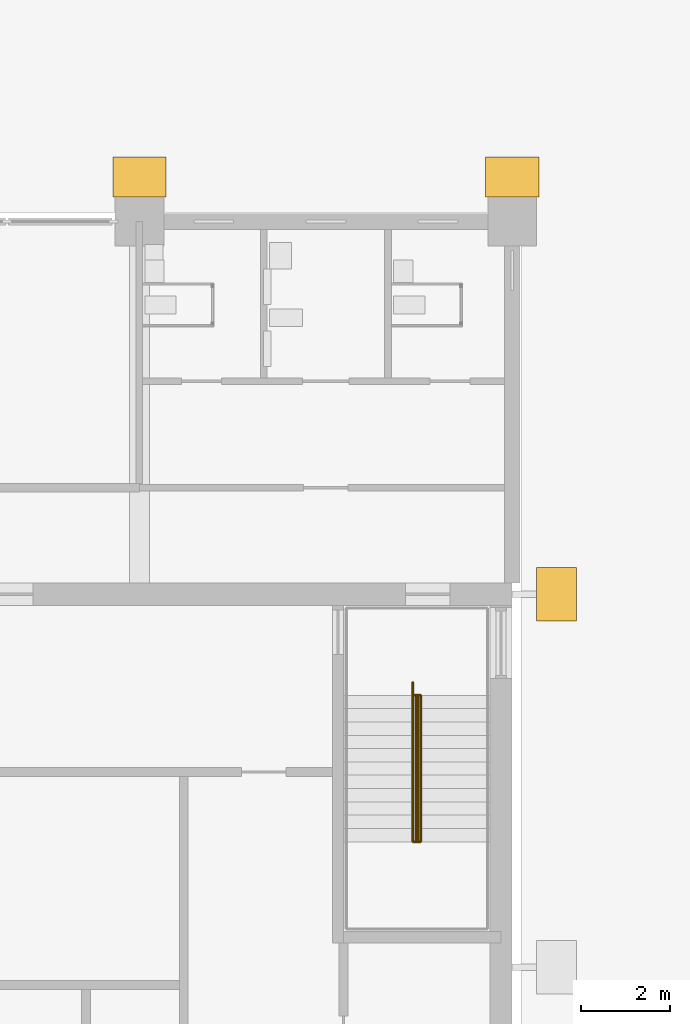
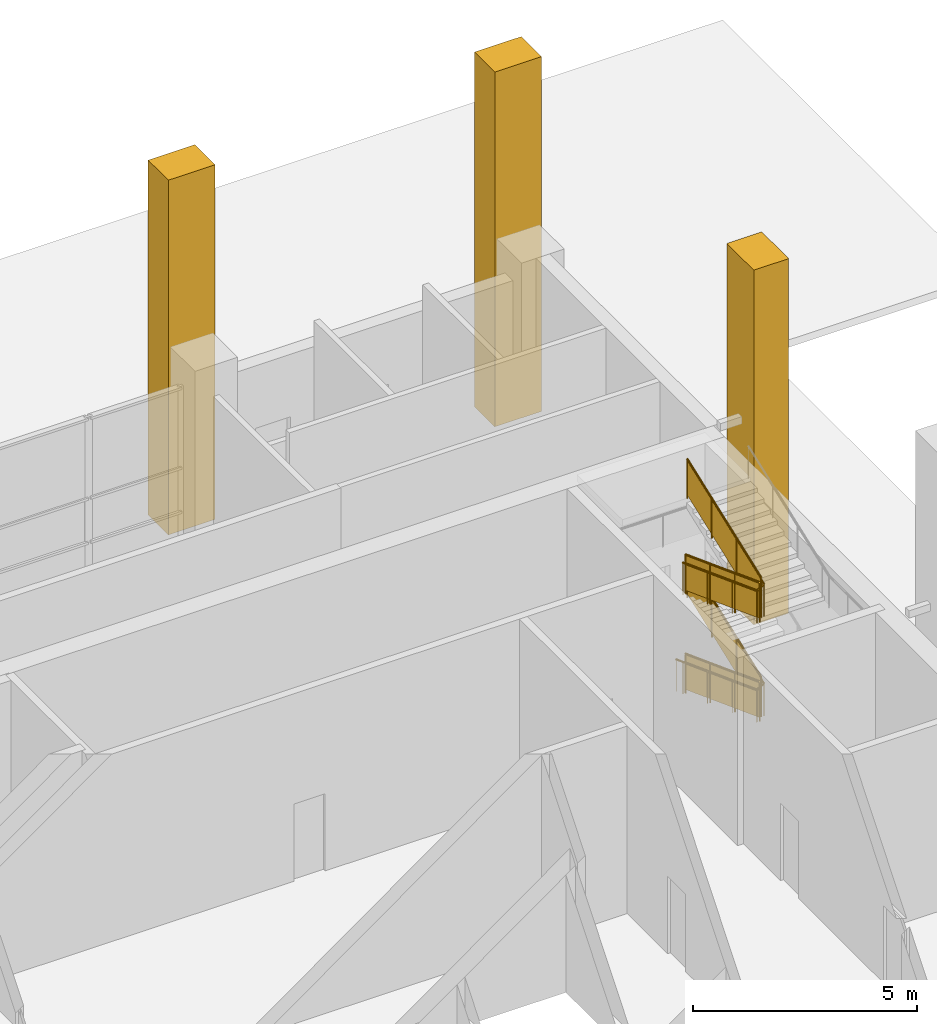
# One storey, part 69 of 74: 5 railings, 3 coverings.
"""IFC4 building model written with IfcOpenShell, lengths in metres."""

import ifcopenshell
import ifcopenshell.guid

model = None  # the IFC model being written
_history = None  # IfcOwnerHistory: only IFC2X3 demands one
_inside = {}  # id of a spatial element -> (the spatial element, [elements in it])
_under = {}  # id of a project, library or spatial element -> (it, [spatial elements below it])
_declared = {}  # id of a project -> (the project, [libraries it declares])
_typed = {}  # id of a type object -> (the type object, [elements of that type])
_made_of = {}  # id of a material, layer set ... -> (it, [elements and type objects made of it])


def new_model(schema):
    """Start an empty IFC model of exactly this schema.

    Asked for "IFC4X3", IfcOpenShell would pick the latest addendum, in which some entities
    have other attributes; the version numbers below select the first issue.
    IFC2X3 requires an IfcOwnerHistory on every rooted entity: one is made here for all.
    """
    global model, _history
    if schema == "IFC4X3":
        model = ifcopenshell.file(schema_version=(4, 3, 0, 0))
    else:
        model = ifcopenshell.file(schema=schema)
    _inside.clear()
    _under.clear()
    _declared.clear()
    _typed.clear()
    _made_of.clear()
    _history = None
    if model.schema == "IFC2X3":
        org = make("IfcOrganization", Name="unknown")
        user = make(
            "IfcPersonAndOrganization",
            ThePerson=make("IfcPerson", FamilyName="unknown"),
            TheOrganization=org,
        )
        app = make(
            "IfcApplication",
            ApplicationDeveloper=org,
            Version="unknown",
            ApplicationFullName="unknown",
            ApplicationIdentifier="unknown",
        )
        _history = make(
            "IfcOwnerHistory",
            OwningUser=user,
            OwningApplication=app,
            ChangeAction="ADDED",
            CreationDate=0,
        )
    return model


def make(cls, **values):
    """One entity of the class cls with the attributes given. An attribute that is None is left unset."""
    return model.create_entity(
        cls, **{name: value for name, value in values.items() if value is not None}
    )


def rooted(cls, **values):
    """An entity with a GlobalId (a new one), such as an element, a storey or a relation."""
    return make(cls, GlobalId=ifcopenshell.guid.new(), OwnerHistory=_history, **values)


def si_unit(unit_type, name, prefix=None):
    """IfcSIUnit, for example si_unit("LENGTHUNIT", "METRE", prefix="MILLI")."""
    return make("IfcSIUnit", UnitType=unit_type, Prefix=prefix, Name=name)


def assignment(units):
    """IfcUnitAssignment: the units of a project."""
    return None if units is None else make("IfcUnitAssignment", Units=units)


def point(xyz):
    """IfcCartesianPoint."""
    return None if xyz is None else make("IfcCartesianPoint", Coordinates=xyz)


def direction(xyz):
    """IfcDirection."""
    return None if xyz is None else make("IfcDirection", DirectionRatios=xyz)


def frame(location, z_axis=None, x_axis=None):
    """IfcAxis2Placement3D, a coordinate frame: its origin and axes. An axis left out is left unset."""
    return make(
        "IfcAxis2Placement3D",
        Location=point(location),
        Axis=direction(z_axis),
        RefDirection=direction(x_axis),
    )


def frame_2d(location, x_axis=None):
    """IfcAxis2Placement2D, a coordinate frame in the plane: its origin and x axis."""
    return make(
        "IfcAxis2Placement2D", Location=point(location), RefDirection=direction(x_axis)
    )


def origin():
    """The frame at (0, 0, 0) with its axes left unset."""
    return frame((0.0, 0.0, 0.0))


def origin_2d():
    """The frame at (0, 0) in the plane with its x axis left unset."""
    return frame_2d((0.0, 0.0))


def place(relative_to, where):
    """IfcLocalPlacement: puts the frame where relative to a parent placement (None: the world)."""
    return make(
        "IfcLocalPlacement", PlacementRelTo=relative_to, RelativePlacement=where
    )


def context(
    kind, dimensions, precision=None, world=None, true_north=None, identifier=None
):
    """IfcGeometricRepresentationContext, for example the 3D "Model" context."""
    return make(
        "IfcGeometricRepresentationContext",
        ContextIdentifier=identifier,
        ContextType=kind,
        CoordinateSpaceDimension=dimensions,
        Precision=precision,
        WorldCoordinateSystem=world,
        TrueNorth=true_north,
    )


def subcontext(parent, identifier, kind, view, scale=None):
    """IfcGeometricRepresentationSubContext, for example "Body" below "Model"."""
    return make(
        "IfcGeometricRepresentationSubContext",
        ContextIdentifier=identifier,
        ContextType=kind,
        ParentContext=parent,
        TargetScale=scale,
        TargetView=view,
    )


def project(units=None, contexts=None):
    """IfcProject with its units and contexts."""
    return rooted(
        "IfcProject",
        Name="project",
        RepresentationContexts=contexts,
        UnitsInContext=assignment(units),
    )


def spatial(cls, under=None, at=None, **own):
    """A site, building, storey or space (cls), placed at a placement, below another one or the project."""
    s = rooted(cls, ObjectPlacement=at, **own)
    if under is not None:
        _under.setdefault(under.id(), (under, []))[1].append(s)
    return s


def polyline(points):
    """IfcPolyline through the points."""
    return make("IfcPolyline", Points=[point(p) for p in points])


def profile(cls, at=None, kind="AREA", **sizes):
    """A parametric profile (cls). Its sizes go by their IFC names, for example OverallWidth=200.0."""
    return make(cls, ProfileType=kind, Position=at, **sizes)


def rectangle(**sizes):
    """IfcRectangleProfileDef."""
    return profile("IfcRectangleProfileDef", **sizes)


def circle(**sizes):
    """IfcCircleProfileDef."""
    return profile("IfcCircleProfileDef", **sizes)


def outline(outer, holes=None, kind="AREA"):
    """IfcArbitraryClosedProfileDef: a profile drawn as a closed curve; with holes, ...WithVoids."""
    if holes is None:
        return make("IfcArbitraryClosedProfileDef", ProfileType=kind, OuterCurve=outer)
    return make(
        "IfcArbitraryProfileDefWithVoids",
        ProfileType=kind,
        OuterCurve=outer,
        InnerCurves=holes,
    )


def extrude(swept, where, along, depth):
    """IfcExtrudedAreaSolid: the profile swept, set in the frame where, extruded along a direction by depth."""
    return make(
        "IfcExtrudedAreaSolid",
        SweptArea=swept,
        Position=where,
        ExtrudedDirection=direction(along),
        Depth=depth,
    )


def shape(context_of_items, identifier, shape_type, items):
    """IfcShapeRepresentation: the items that make up one representation, for example the "Body"."""
    return make(
        "IfcShapeRepresentation",
        ContextOfItems=context_of_items,
        RepresentationIdentifier=identifier,
        RepresentationType=shape_type,
        Items=items,
    )


def material(Name=None, Category=None):
    """IfcMaterial."""
    return make("IfcMaterial", Name=Name, Category=Category)


def made_of(thing, what):
    """Note that an element or type object is made of a material, layer set ...; save() writes the relation."""
    if what is not None:
        _made_of.setdefault(what.id(), (what, []))[1].append(thing)
    return thing


def type_object(cls, material=None, **own):
    """A type object (cls), such as IfcWallType, which elements share."""
    return made_of(rooted(cls, **own), material)


def element(
    cls,
    number,
    at=None,
    inside=None,
    cuts=None,
    type_object=None,
    material=None,
    context=None,
    identifier="Body",
    shape_type=None,
    held_by="IfcProductDefinitionShape",
    body=None,
    shapes=None,
    **own,
):
    """One element of the class cls, such as IfcWall. Its Tag is "e" and its number.

    at: its placement. inside: the storey or other place that contains it. cuts: it is an
    opening in that element (IfcRelVoidsElement). A single representation is given by context,
    identifier, shape_type and body (its items); several are given by shapes. held_by: the class
    of the entity that holds the representations. save() writes the other relations.
    """
    e = rooted(cls, Tag="e%d" % number, ObjectPlacement=at, **own)
    if body is not None:
        shapes = [shape(context, identifier, shape_type, body)]
    if shapes is not None:
        e.Representation = make(held_by, Representations=shapes)
    if inside is not None:
        _inside.setdefault(inside.id(), (inside, []))[1].append(e)
    if cuts is not None:
        rooted(
            "IfcRelVoidsElement", RelatingBuildingElement=cuts, RelatedOpeningElement=e
        )
    if type_object is not None:
        _typed.setdefault(type_object.id(), (type_object, []))[1].append(e)
    return made_of(e, material)


def aggregate(whole, parts):
    """IfcRelAggregates: a whole, such as a stair, and the parts it consists of."""
    return rooted("IfcRelAggregates", RelatingObject=whole, RelatedObjects=parts)


def save(model, path):
    """Write the relations noted so far, then the file.

    IfcRelAggregates (storeys below a building ...), IfcRelContainedInSpatialStructure (elements
    in a storey), IfcRelDefinesByType, IfcRelAssociatesMaterial and IfcRelDeclares: one each for
    every whole, place, type object, material and project.
    """
    for whole, parts in _under.values():
        aggregate(whole, parts)
    for where, things in _inside.values():
        rooted(
            "IfcRelContainedInSpatialStructure",
            RelatedElements=things,
            RelatingStructure=where,
        )
    for kind, things in _typed.values():
        rooted("IfcRelDefinesByType", RelatedObjects=things, RelatingType=kind)
    for what, things in _made_of.values():
        rooted("IfcRelAssociatesMaterial", RelatedObjects=things, RelatingMaterial=what)
    for by, libraries in _declared.values():
        rooted("IfcRelDeclares", RelatingContext=by, RelatedDefinitions=libraries)
    model.write(path)


model = new_model("IFC4")

# Units and contexts
model_context = context("Model", 3, precision=1e-05, world=origin(), true_north=direction((0.0, 1.0)))
body_context = subcontext(model_context, "Body", "Model", "MODEL_VIEW")
ifc_project = project(units=[si_unit("LENGTHUNIT", "METRE"), si_unit("AREAUNIT", "SQUARE_METRE"), si_unit("VOLUMEUNIT", "CUBIC_METRE"), si_unit("PLANEANGLEUNIT", "RADIAN"), si_unit("MASSUNIT", "GRAM", prefix="KILO")], contexts=[model_context])

# Site, building, storey
site_placement = place(None, origin())
site = spatial("IfcSite", under=ifc_project, at=site_placement, CompositionType="ELEMENT")
building_placement = place(site_placement, origin())
building = spatial("IfcBuilding", under=site, at=building_placement, Name="Rulbaag Community and Learning Centre", CompositionType="ELEMENT")
storey_placement = place(building_placement, origin())
storey = spatial("IfcBuildingStorey", under=building, at=storey_placement, Name="L00", CompositionType="ELEMENT", Elevation=0.0)

# Railings
ifc_material_1 = material(Name="Galvanised mild steel", Category="steel")
railing_type_1 = type_object("IfcRailingType", Name="GR-1100 GUARD 1100", PredefinedType="GUARDRAIL", material=ifc_material_1)
railing_1_placement = place(storey_placement, frame((165.830078125, 106.925048828125, 0.112548828125)))
element("IfcRailing", 1, at=railing_1_placement, inside=storey, type_object=railing_type_1, Name="Guard ST2 L00 G", PredefinedType="GUARDRAIL", context=body_context, shape_type="SweptSolid", body=[
    extrude(circle(Radius=0.02490234375, at=origin_2d()), frame((0.0, 0.0, 1.0751953125), z_axis=(0.0, -0.936326330815, 0.35113103284), x_axis=(1.0, 0.0, 0.0)), (0.0, 0.0, 1.0), 3.5244140625),
    extrude(circle(Radius=0.02001953125, at=origin_2d()), origin(), (0.0, 0.0, 1.0), 1.050048828125),
    extrude(circle(Radius=0.02001953125, at=origin_2d()), frame((0.0, -1.10009765625, 0.41259765625)), (0.0, 0.0, 1.0), 1.050048828125),
    extrude(circle(Radius=0.02001953125, at=origin_2d()), frame((0.0, -2.199951171875, 0.824951171875)), (0.0, 0.0, 1.0), 1.050048828125),
    extrude(circle(Radius=0.02001953125, at=origin_2d()), frame((0.0, -3.300048828125, 1.237548828125)), (0.0, 0.0, 1.0), 1.050048828125),
    extrude(outline(polyline([(0.0, 0.0), (3.300048828125, 1.237548828125), (3.300048828125, 2.1875), (0.0, 0.949951171875), (0.0, 0.0)])), frame((0.0048828125, 0.0, 0.10009765625), z_axis=(-1.0, 0.0, 0.0), x_axis=(0.0, -1.0, 0.0)), (0.0, 0.0, 1.0), 0.010009765625),
])
railing_2_placement = place(storey_placement, frame((165.8701171875, 103.625, 1.46240234375)))
element("IfcRailing", 2, at=railing_2_placement, inside=storey, type_object=railing_type_1, Name="Guard ST2 L00 G2", PredefinedType="GUARDRAIL", context=body_context, shape_type="SweptSolid", body=[
    extrude(circle(Radius=0.02490234375, at=origin_2d()), frame((0.0, 0.0, 1.0751953125), z_axis=(0.0, 0.936326330815, 0.35113103284), x_axis=(-1.0, 0.0, 0.0)), (0.0, 0.0, 1.0), 3.5244140625),
    extrude(circle(Radius=0.02001953125, at=origin_2d()), origin(), (0.0, 0.0, 1.0), 1.050048828125),
    extrude(circle(Radius=0.02001953125, at=origin_2d()), frame((0.0, 1.10009765625, 0.41259765625)), (0.0, 0.0, 1.0), 1.050048828125),
    extrude(circle(Radius=0.02001953125, at=origin_2d()), frame((0.0, 2.199951171875, 0.824951171875)), (0.0, 0.0, 1.0), 1.050048828125),
    extrude(circle(Radius=0.02001953125, at=origin_2d()), frame((0.0, 3.300048828125, 1.237548828125)), (0.0, 0.0, 1.0), 1.050048828125),
    extrude(outline(polyline([(0.0, 0.0), (3.300048828125, 1.237548828125), (3.300048828125, 2.1875), (0.0, 0.949951171875), (0.0, 0.0)])), frame((-0.0048828125, 0.0, 0.10009765625), z_axis=(1.0, 0.0, 0.0), x_axis=(0.0, 1.0, 0.0)), (0.0, 0.0, 1.0), 0.010009765625),
])
railing_3_placement = place(storey_placement, frame((165.830078125, 106.925048828125, 2.8125)))
element("IfcRailing", 3, at=railing_3_placement, inside=storey, type_object=railing_type_1, Name="Guard ST2 L00 G3", PredefinedType="GUARDRAIL", context=body_context, shape_type="SweptSolid", body=[
    extrude(circle(Radius=0.02490234375, at=origin_2d()), frame((0.0, 0.0, 1.0751953125), z_axis=(0.0, -0.936326330815, 0.35113103284), x_axis=(1.0, 0.0, 0.0)), (0.0, 0.0, 1.0), 3.5244140625),
    extrude(circle(Radius=0.02001953125, at=origin_2d()), origin(), (0.0, 0.0, 1.0), 1.050048828125),
    extrude(circle(Radius=0.02001953125, at=origin_2d()), frame((0.0, -1.10009765625, 0.41259765625)), (0.0, 0.0, 1.0), 1.050048828125),
    extrude(circle(Radius=0.02001953125, at=origin_2d()), frame((0.0, -2.199951171875, 0.824951171875)), (0.0, 0.0, 1.0), 1.050048828125),
    extrude(circle(Radius=0.02001953125, at=origin_2d()), frame((0.0, -3.300048828125, 1.237548828125)), (0.0, 0.0, 1.0), 1.050048828125),
    extrude(outline(polyline([(0.0, 0.0), (3.300048828125, 1.237548828125), (3.300048828125, 2.1875), (0.0, 0.949951171875), (0.0, 0.0)])), frame((0.0048828125, 0.0, 0.10009765625), z_axis=(-1.0, 0.0, 0.0), x_axis=(0.0, -1.0, 0.0)), (0.0, 0.0, 1.0), 0.010009765625),
])
railing_4_placement = place(storey_placement, frame((165.8701171875, 103.625, 4.16259765625)))
element("IfcRailing", 4, at=railing_4_placement, inside=storey, type_object=railing_type_1, Name="Guard ST2 L00 G4", PredefinedType="GUARDRAIL", context=body_context, shape_type="SweptSolid", body=[
    extrude(circle(Radius=0.02490234375, at=origin_2d()), frame((0.0, 0.0, 1.0751953125), z_axis=(0.0, 0.936349103612, 0.351070300888), x_axis=(-1.0, 0.0, 0.0)), (0.0, 0.0, 1.0), 3.5244140625),
    extrude(circle(Radius=0.02001953125, at=origin_2d()), origin(), (0.0, 0.0, 1.0), 1.050048828125),
    extrude(circle(Radius=0.02001953125, at=origin_2d()), frame((0.0, 1.10009765625, 0.412353515625)), (0.0, 0.0, 1.0), 1.050048828125),
    extrude(circle(Radius=0.02001953125, at=origin_2d()), frame((0.0, 2.199951171875, 0.824951171875)), (0.0, 0.0, 1.0), 1.050048828125),
    extrude(circle(Radius=0.02001953125, at=origin_2d()), frame((0.0, 3.300048828125, 1.2373046875)), (0.0, 0.0, 1.0), 1.050048828125),
    extrude(outline(polyline([(0.0, 0.0), (3.300048828125, 1.2373046875), (3.300048828125, 2.187255859375), (0.0, 0.949951171875), (0.0, 0.0)])), frame((-0.0048828125, 0.0, 0.10009765625), z_axis=(1.0, 0.0, 0.0), x_axis=(0.0, 1.0, 0.0)), (0.0, 0.0, 1.0), 0.010009765625),
])
ifc_material_2 = material(Name="Stainless steel grade 316", Category="steel")
railing_type_2 = type_object("IfcRailingType", Name="HR-900 HANDRAIL 900", PredefinedType="HANDRAIL", material=ifc_material_2)
railing_5_placement = place(storey_placement, frame((165.760009765625, 107.22509765625, 0.0)))
element("IfcRailing", 5, at=railing_5_placement, inside=storey, type_object=railing_type_2, Name="Handrail ST2 L00 I", PredefinedType="HANDRAIL", context=body_context, shape_type="SweptSolid", body=[
    extrude(circle(Radius=0.024169921875, at=origin_2d()), frame((0.0, 0.0, 0.875732421875), z_axis=(0.0, -0.936297865471, 0.351206929196), x_axis=(1.0, 0.0, 0.0)), (0.0, 0.0, 1.0), 0.320556640625),
    extrude(circle(Radius=0.024169921875, at=origin_2d()), frame((0.0, -0.300048828125, 0.98828125), z_axis=(0.0, -0.936326330815, 0.35113103284), x_axis=(1.0, 0.0, 0.0)), (0.0, 0.0, 1.0), 3.5244140625),
    extrude(circle(Radius=0.024169921875, at=origin_2d()), frame((0.0, -3.60009765625, 2.225830078125), z_axis=(0.848321473953, 0.0, 0.529481516986), x_axis=(0.0, 1.0, 0.0)), (0.0, 0.0, 1.0), 0.212158203125),
    extrude(circle(Radius=0.024169921875, at=origin_2d()), frame((0.179931640625, -3.60009765625, 2.338134765625), z_axis=(0.0, 0.936326330815, 0.35113103284), x_axis=(-1.0, 0.0, 0.0)), (0.0, 0.0, 1.0), 3.5244140625),
    extrude(circle(Radius=0.024169921875, at=origin_2d()), frame((0.179931640625, -0.300048828125, 3.57568359375), z_axis=(-0.847804368873, 0.0, 0.530309109973), x_axis=(0.0, -1.0, 0.0)), (0.0, 0.0, 1.0), 0.212158203125),
    extrude(circle(Radius=0.024169921875, at=origin_2d()), frame((0.0, -0.300048828125, 3.688232421875), z_axis=(0.0, -0.936326330815, 0.35113103284), x_axis=(1.0, 0.0, 0.0)), (0.0, 0.0, 1.0), 3.5244140625),
    extrude(circle(Radius=0.024169921875, at=origin_2d()), frame((0.0, -3.60009765625, 4.92578125), z_axis=(0.847804368873, 0.0, 0.530309109973), x_axis=(0.0, 1.0, 0.0)), (0.0, 0.0, 1.0), 0.212158203125),
    extrude(circle(Radius=0.024169921875, at=origin_2d()), frame((0.179931640625, -3.60009765625, 5.038330078125), z_axis=(0.0, 0.936349103612, 0.351070300888), x_axis=(-1.0, 0.0, 0.0)), (0.0, 0.0, 1.0), 3.5244140625),
    extrude(circle(Radius=0.008056640625, at=origin_2d()), origin(), (0.0, 0.0, 1.0), 0.8515625),
    extrude(circle(Radius=0.008056640625, at=origin_2d()), frame((0.0, -0.300048828125, 0.112548828125)), (0.0, 0.0, 1.0), 0.8515625),
    extrude(circle(Radius=0.008056640625, at=origin_2d()), frame((0.0, -1.400146484375, 0.525146484375)), (0.0, 0.0, 1.0), 0.8515625),
    extrude(circle(Radius=0.008056640625, at=origin_2d()), frame((0.0, -2.5, 0.9375)), (0.0, 0.0, 1.0), 0.8515625),
    extrude(circle(Radius=0.008056640625, at=origin_2d()), frame((0.0, -3.60009765625, 1.35009765625)), (0.0, 0.0, 1.0), 0.8515625),
    extrude(circle(Radius=0.008056640625, at=origin_2d()), frame((0.179931640625, -3.60009765625, 1.46240234375)), (0.0, 0.0, 1.0), 0.8515625),
    extrude(circle(Radius=0.008056640625, at=origin_2d()), frame((0.179931640625, -2.5, 1.875)), (0.0, 0.0, 1.0), 0.8515625),
    extrude(circle(Radius=0.008056640625, at=origin_2d()), frame((0.179931640625, -1.400146484375, 2.287353515625)), (0.0, 0.0, 1.0), 0.8515625),
    extrude(circle(Radius=0.008056640625, at=origin_2d()), frame((0.179931640625, -0.300048828125, 2.699951171875)), (0.0, 0.0, 1.0), 0.8515625),
    extrude(circle(Radius=0.008056640625, at=origin_2d()), frame((0.0, -0.300048828125, 2.8125)), (0.0, 0.0, 1.0), 0.8515625),
    extrude(circle(Radius=0.008056640625, at=origin_2d()), frame((0.0, -1.400146484375, 3.22509765625)), (0.0, 0.0, 1.0), 0.8515625),
    extrude(circle(Radius=0.008056640625, at=origin_2d()), frame((0.0, -2.5, 3.637451171875)), (0.0, 0.0, 1.0), 0.8515625),
    extrude(circle(Radius=0.008056640625, at=origin_2d()), frame((0.0, -3.60009765625, 4.050048828125)), (0.0, 0.0, 1.0), 0.8515625),
    extrude(circle(Radius=0.008056640625, at=origin_2d()), frame((0.179931640625, -3.60009765625, 4.16259765625)), (0.0, 0.0, 1.0), 0.8515625),
    extrude(circle(Radius=0.008056640625, at=origin_2d()), frame((0.179931640625, -2.5, 4.574951171875)), (0.0, 0.0, 1.0), 0.8515625),
    extrude(circle(Radius=0.008056640625, at=origin_2d()), frame((0.179931640625, -1.400146484375, 4.987548828125)), (0.0, 0.0, 1.0), 0.8515625),
    extrude(circle(Radius=0.008056640625, at=origin_2d()), frame((0.179931640625, -0.300048828125, 5.39990234375)), (0.0, 0.0, 1.0), 0.8515625),
])

# Coverings
ifc_material_3 = material(Name="Concrete M40", Category="concrete")
covering_type = type_object("IfcCoveringType", Name="PR-1", PredefinedType="CLADDING", material=ifc_material_3)
for number, where, z_axis, x_axis, name in (
    (6, (159.60009765625, 118.60009765625, 0.0), (0.0, 0.0, 1.0), (1.0, 0.0, 0.0), "Base pier"),
    (7, (168.0, 118.60009765625, 0.0), (0.0, 0.0, 1.0), (1.0, 0.0, 0.0), "Base pier"),
):
    element("IfcCovering", number, at=place(storey_placement, frame(where, z_axis=z_axis, x_axis=x_axis)), inside=storey, type_object=covering_type, Name=name, PredefinedType="CLADDING", context=body_context, shape_type="SweptSolid", body=[
        extrude(rectangle(XDim=1.199951171875, YDim=0.89990234375, at=origin_2d()), origin(), (0.0, 0.0, 1.0), 9.64990234375),
    ])
covering_placement = place(storey_placement, frame((169.0, 109.199951171875, 0.0), z_axis=(0.0, 0.0, 1.0), x_axis=(1.0, 0.0, 0.0)))
element("IfcCovering", 8, at=covering_placement, inside=storey, type_object=covering_type, Name="Base pier", PredefinedType="CLADDING", context=body_context, shape_type="SweptSolid", body=[
    extrude(rectangle(XDim=0.89990234375, YDim=1.199951171875, at=origin_2d()), origin(), (0.0, 0.0, 1.0), 9.64990234375),
])

save(model, "model.ifc")
